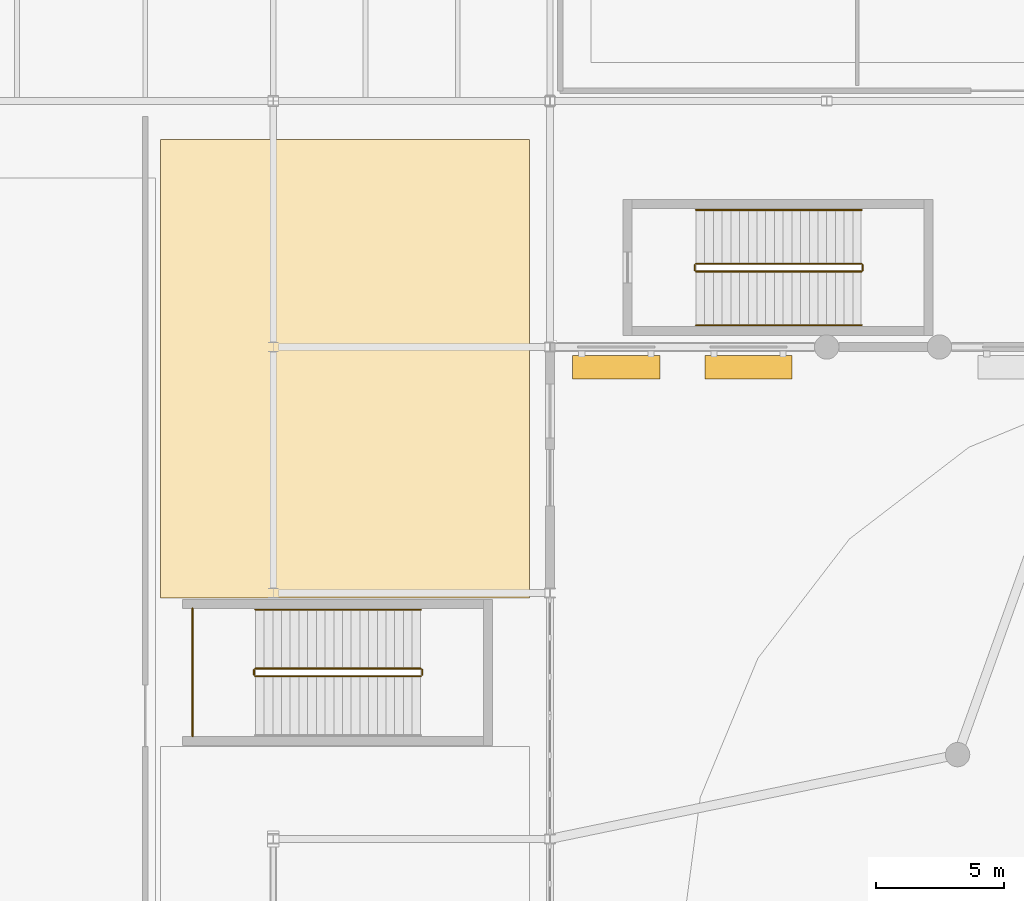
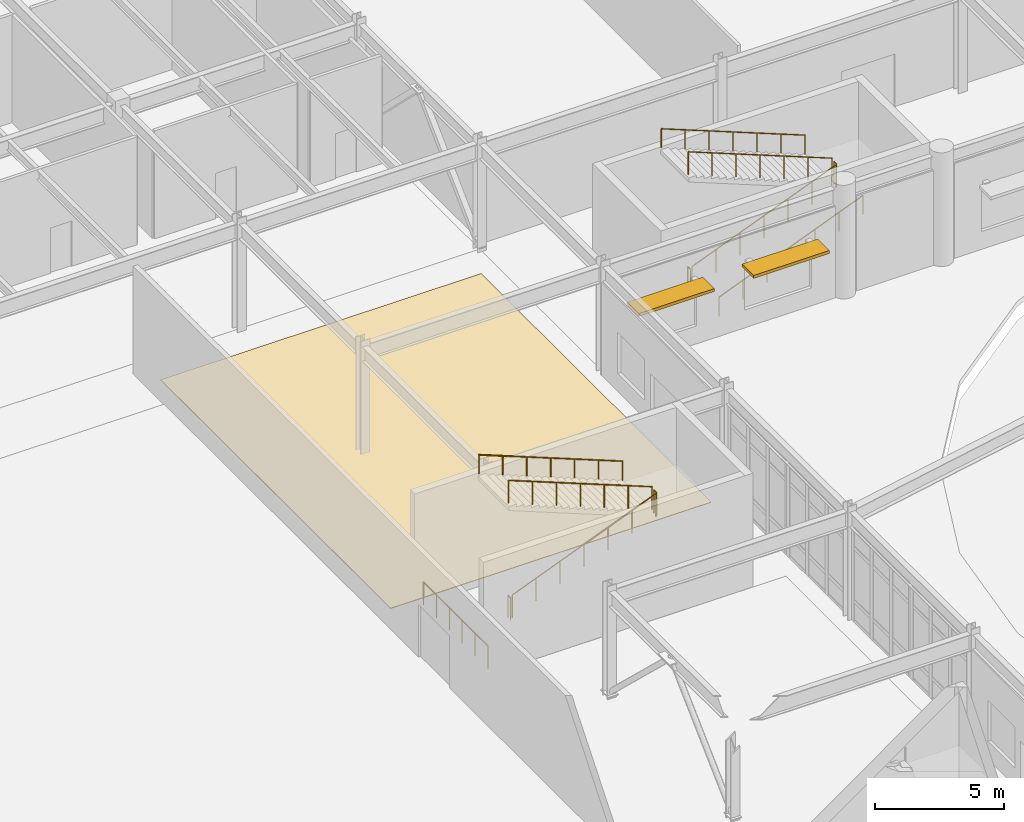
# One storey, part 49 of 54: 12 railings, 2 shading devices, 1 covering.
"""IFC4 building model written with IfcOpenShell, lengths in metres."""

from ifc_helpers import new_model, si_unit, direction, frame, origin, origin_2d, place, context, subcontext, project, spatial, polyline, rectangle, circle, outline, extrude, material, layer, layer_set, type_object, element, save


model = new_model("IFC4")

# Units and contexts
model_context = context("Model", 3, precision=1e-05, world=origin(), true_north=direction((0.0, 1.0)))
body_context = subcontext(model_context, "Body", "Model", "MODEL_VIEW")
ifc_project = project(units=[si_unit("LENGTHUNIT", "METRE"), si_unit("AREAUNIT", "SQUARE_METRE"), si_unit("VOLUMEUNIT", "CUBIC_METRE"), si_unit("PLANEANGLEUNIT", "RADIAN"), si_unit("MASSUNIT", "GRAM", prefix="KILO")], contexts=[model_context])

# Site, building, storey
site_placement = place(None, origin())
site = spatial("IfcSite", under=ifc_project, at=site_placement, CompositionType="ELEMENT")
building_placement = place(site_placement, origin())
building = spatial("IfcBuilding", under=site, at=building_placement, Name="Veldera Park Congress Hotel", CompositionType="ELEMENT")
storey_placement = place(building_placement, origin())
storey = spatial("IfcBuildingStorey", under=building, at=storey_placement, Name="L00", CompositionType="ELEMENT", Elevation=0.0)

# Covering
ifc_material_1 = material(Name="Polished Sonoran Aggregate Terrazzo", Category="concrete")
ifc_layer = layer(ifc_material_1, 0.030029296875)
ifc_layer_set = layer_set([ifc_layer], Name="Polished Sonoran Aggregate Terrazzo")
covering_type = type_object("IfcCoveringType", Name="COV-FLR-TRZ", PredefinedType="FLOORING", material=ifc_layer_set)
covering_placement = place(storey_placement, origin())
element("IfcCovering", 1, at=covering_placement, inside=storey, type_object=covering_type, Name="Congress North Concourse Terrazzo Flooring", PredefinedType="FLOORING", context=body_context, shape_type="SweptSolid", body=[
    extrude(outline(polyline([(-16.800048828125, 7.60009765625), (-2.39990234375, 7.60009765625), (-2.39990234375, 25.5), (-16.800048828125, 25.5), (-16.800048828125, 7.60009765625)])), origin(), (0.0, 0.0, 1.0), 0.030029296875),
])

# Railings
ifc_material_2 = material(Name="Steel ASTM A992 Gr.50", Category="steel")
railing_type_1 = type_object("IfcRailingType", Name="GRD-ST110", PredefinedType="GUARDRAIL", material=ifc_material_2)
railing_1_placement = place(storey_placement, frame((4.10009765625, 20.35009765625, 0.135009765625)))
element("IfcRailing", 2, at=railing_1_placement, inside=storey, type_object=railing_type_1, Name="L00 ST6 stair guard 1", PredefinedType="GUARDRAIL", context=body_context, shape_type="SweptSolid", body=[
    extrude(circle(Radius=0.02392578125, at=origin_2d()), frame((0.0, 0.0, 1.076171875), z_axis=(0.929418439274, 0.0, 0.369027593462), x_axis=(0.0, 1.0, 0.0)), (0.0, 0.0, 1.0), 6.950439453125),
    extrude(circle(Radius=0.02099609375, at=origin_2d()), origin(), (0.0, 0.0, 1.0), 1.052001953125),
    extrude(circle(Radius=0.02099609375, at=origin_2d()), frame((1.07666015625, 0.0, 0.427490234375)), (0.0, 0.0, 1.0), 1.052001953125),
    extrude(circle(Radius=0.02099609375, at=origin_2d()), frame((2.1533203125, 0.0, 0.85498046875)), (0.0, 0.0, 1.0), 1.052001953125),
    extrude(circle(Radius=0.02099609375, at=origin_2d()), frame((3.22998046875, 0.0, 1.282470703125)), (0.0, 0.0, 1.0), 1.052001953125),
    extrude(circle(Radius=0.02099609375, at=origin_2d()), frame((4.306640625, 0.0, 1.7099609375)), (0.0, 0.0, 1.0), 1.052001953125),
    extrude(circle(Radius=0.02099609375, at=origin_2d()), frame((5.38330078125, 0.0, 2.137451171875)), (0.0, 0.0, 1.0), 1.052001953125),
    extrude(circle(Radius=0.02099609375, at=origin_2d()), frame((6.4599609375, 0.0, 2.56494140625)), (0.0, 0.0, 1.0), 1.052001953125),
])
railing_2_placement = place(storey_placement, frame((10.610107421875, 20.39990234375, 2.699951171875)))
element("IfcRailing", 3, at=railing_2_placement, inside=storey, type_object=railing_type_1, Name="L00 ST6 stair guard 2", PredefinedType="GUARDRAIL", context=body_context, shape_type="SweptSolid", body=[
    extrude(circle(Radius=0.02392578125, at=origin_2d()), frame((0.0, 0.0, 1.076171875), z_axis=(0.0, 1.0, 0.0), x_axis=(-1.0, 0.0, 0.0)), (0.0, 0.0, 1.0), 0.2001953125),
    extrude(circle(Radius=0.02099609375, at=origin_2d()), origin(), (0.0, 0.0, 1.0), 1.052001953125),
    extrude(circle(Radius=0.02099609375, at=origin_2d()), frame((0.0, 0.2001953125, 0.0)), (0.0, 0.0, 1.0), 1.052001953125),
])
railing_3_placement = place(storey_placement, frame((10.56005859375, 20.64990234375, 2.8349609375)))
element("IfcRailing", 4, at=railing_3_placement, inside=storey, type_object=railing_type_1, Name="L00 ST6 stair guard 3", PredefinedType="GUARDRAIL", context=body_context, shape_type="SweptSolid", body=[
    extrude(circle(Radius=0.02392578125, at=origin_2d()), frame((0.0, 0.0, 1.076171875), z_axis=(-0.929418439274, 0.0, 0.369027593462), x_axis=(0.0, -1.0, 0.0)), (0.0, 0.0, 1.0), 6.950439453125),
    extrude(circle(Radius=0.02099609375, at=origin_2d()), origin(), (0.0, 0.0, 1.0), 1.052001953125),
    extrude(circle(Radius=0.02099609375, at=origin_2d()), frame((-1.07666015625, 0.0, 0.427490234375)), (0.0, 0.0, 1.0), 1.052001953125),
    extrude(circle(Radius=0.02099609375, at=origin_2d()), frame((-2.1533203125, 0.0, 0.85498046875)), (0.0, 0.0, 1.0), 1.052001953125),
    extrude(circle(Radius=0.02099609375, at=origin_2d()), frame((-3.22998046875, 0.0, 1.282470703125)), (0.0, 0.0, 1.0), 1.052001953125),
    extrude(circle(Radius=0.02099609375, at=origin_2d()), frame((-4.306640625, 0.0, 1.7099609375)), (0.0, 0.0, 1.0), 1.052001953125),
    extrude(circle(Radius=0.02099609375, at=origin_2d()), frame((-5.38330078125, 0.0, 2.137451171875)), (0.0, 0.0, 1.0), 1.052001953125),
    extrude(circle(Radius=0.02099609375, at=origin_2d()), frame((-6.4599609375, 0.0, 2.56494140625)), (0.0, 0.0, 1.0), 1.052001953125),
])
railing_4_placement = place(storey_placement, frame((4.050048828125, 20.39990234375, 0.0)))
element("IfcRailing", 5, at=railing_4_placement, inside=storey, type_object=railing_type_1, Name="L00 ST6 stair guard 4", PredefinedType="GUARDRAIL", context=body_context, shape_type="SweptSolid", body=[
    extrude(circle(Radius=0.02392578125, at=origin_2d()), frame((0.0, 0.0, 1.076171875), z_axis=(0.0, 1.0, 0.0), x_axis=(-1.0, 0.0, 0.0)), (0.0, 0.0, 1.0), 0.2001953125),
    extrude(circle(Radius=0.02099609375, at=origin_2d()), origin(), (0.0, 0.0, 1.0), 1.052001953125),
    extrude(circle(Radius=0.02099609375, at=origin_2d()), frame((0.0, 0.2001953125, 0.0)), (0.0, 0.0, 1.0), 1.052001953125),
])
railing_5_placement = place(storey_placement, frame((-13.10009765625, 4.550048828125, 0.135009765625)))
element("IfcRailing", 6, at=railing_5_placement, inside=storey, type_object=railing_type_1, Name="L00 ST9 stair guard 1", PredefinedType="GUARDRAIL", context=body_context, shape_type="SweptSolid", body=[
    extrude(circle(Radius=0.02392578125, at=origin_2d()), frame((0.0, 0.0, 1.076171875), z_axis=(0.929423222467, 0.0, 0.369015546474), x_axis=(0.0, 1.0, 0.0)), (0.0, 0.0, 1.0), 6.95068359375),
    extrude(circle(Radius=0.02099609375, at=origin_2d()), origin(), (0.0, 0.0, 1.0), 1.052001953125),
    extrude(circle(Radius=0.02099609375, at=origin_2d()), frame((1.07666015625, 0.0, 0.427490234375)), (0.0, 0.0, 1.0), 1.052001953125),
    extrude(circle(Radius=0.02099609375, at=origin_2d()), frame((2.1533203125, 0.0, 0.85498046875)), (0.0, 0.0, 1.0), 1.052001953125),
    extrude(circle(Radius=0.02099609375, at=origin_2d()), frame((3.22998046875, 0.0, 1.282470703125)), (0.0, 0.0, 1.0), 1.052001953125),
    extrude(circle(Radius=0.02099609375, at=origin_2d()), frame((4.306884765625, 0.0, 1.7099609375)), (0.0, 0.0, 1.0), 1.052001953125),
    extrude(circle(Radius=0.02099609375, at=origin_2d()), frame((5.383544921875, 0.0, 2.137451171875)), (0.0, 0.0, 1.0), 1.052001953125),
    extrude(circle(Radius=0.02099609375, at=origin_2d()), frame((6.460205078125, 0.0, 2.56494140625)), (0.0, 0.0, 1.0), 1.052001953125),
])
railing_6_placement = place(storey_placement, frame((-6.590087890625, 4.60009765625, 2.699951171875)))
element("IfcRailing", 7, at=railing_6_placement, inside=storey, type_object=railing_type_1, Name="L00 ST9 stair guard 2", PredefinedType="GUARDRAIL", context=body_context, shape_type="SweptSolid", body=[
    extrude(circle(Radius=0.02392578125, at=origin_2d()), frame((0.0, 0.0, 1.076171875), z_axis=(0.0, 1.0, 0.0), x_axis=(-1.0, 0.0, 0.0)), (0.0, 0.0, 1.0), 0.199951171875),
    extrude(circle(Radius=0.02099609375, at=origin_2d()), origin(), (0.0, 0.0, 1.0), 1.052001953125),
    extrude(circle(Radius=0.02099609375, at=origin_2d()), frame((0.0, 0.199951171875, 0.0)), (0.0, 0.0, 1.0), 1.052001953125),
])
railing_7_placement = place(storey_placement, frame((-6.639892578125, 4.85009765625, 2.8349609375)))
element("IfcRailing", 8, at=railing_7_placement, inside=storey, type_object=railing_type_1, Name="L00 ST9 stair guard 3", PredefinedType="GUARDRAIL", context=body_context, shape_type="SweptSolid", body=[
    extrude(circle(Radius=0.02392578125, at=origin_2d()), frame((0.0, 0.0, 1.076171875), z_axis=(-0.929423222467, 0.0, 0.369015546474), x_axis=(0.0, -1.0, 0.0)), (0.0, 0.0, 1.0), 6.95068359375),
    extrude(circle(Radius=0.02099609375, at=origin_2d()), origin(), (0.0, 0.0, 1.0), 1.052001953125),
    extrude(circle(Radius=0.02099609375, at=origin_2d()), frame((-1.07666015625, 0.0, 0.427490234375)), (0.0, 0.0, 1.0), 1.052001953125),
    extrude(circle(Radius=0.02099609375, at=origin_2d()), frame((-2.1533203125, 0.0, 0.85498046875)), (0.0, 0.0, 1.0), 1.052001953125),
    extrude(circle(Radius=0.02099609375, at=origin_2d()), frame((-3.22998046875, 0.0, 1.282470703125)), (0.0, 0.0, 1.0), 1.052001953125),
    extrude(circle(Radius=0.02099609375, at=origin_2d()), frame((-4.306884765625, 0.0, 1.7099609375)), (0.0, 0.0, 1.0), 1.052001953125),
    extrude(circle(Radius=0.02099609375, at=origin_2d()), frame((-5.383544921875, 0.0, 2.137451171875)), (0.0, 0.0, 1.0), 1.052001953125),
    extrude(circle(Radius=0.02099609375, at=origin_2d()), frame((-6.460205078125, 0.0, 2.56494140625)), (0.0, 0.0, 1.0), 1.052001953125),
])
railing_8_placement = place(storey_placement, frame((-13.14990234375, 4.60009765625, 0.0)))
element("IfcRailing", 9, at=railing_8_placement, inside=storey, type_object=railing_type_1, Name="L00 ST9 stair guard 4", PredefinedType="GUARDRAIL", context=body_context, shape_type="SweptSolid", body=[
    extrude(circle(Radius=0.02392578125, at=origin_2d()), frame((0.0, 0.0, 1.076171875), z_axis=(0.0, 1.0, 0.0), x_axis=(-1.0, 0.0, 0.0)), (0.0, 0.0, 1.0), 0.199951171875),
    extrude(circle(Radius=0.02099609375, at=origin_2d()), origin(), (0.0, 0.0, 1.0), 1.052001953125),
    extrude(circle(Radius=0.02099609375, at=origin_2d()), frame((0.0, 0.199951171875, 0.0)), (0.0, 0.0, 1.0), 1.052001953125),
])
railing_9_placement = place(storey_placement, frame((-15.550048828125, 2.199951171875, 0.0)))
element("IfcRailing", 10, at=railing_9_placement, inside=storey, type_object=railing_type_1, Name="L00 ST9 stair guard 5", PredefinedType="GUARDRAIL", context=body_context, shape_type="SweptSolid", body=[
    extrude(circle(Radius=0.02392578125, at=origin_2d()), frame((0.0, 0.0, 1.076171875), z_axis=(0.0, 1.0, 0.0), x_axis=(-1.0, 0.0, 0.0)), (0.0, 0.0, 1.0), 5.0),
    extrude(circle(Radius=0.02099609375, at=origin_2d()), origin(), (0.0, 0.0, 1.0), 1.052001953125),
    extrude(circle(Radius=0.02099609375, at=origin_2d()), frame((0.0, 1.0, 0.0)), (0.0, 0.0, 1.0), 1.052001953125),
    extrude(circle(Radius=0.02099609375, at=origin_2d()), frame((0.0, 2.0, 0.0)), (0.0, 0.0, 1.0), 1.052001953125),
    extrude(circle(Radius=0.02099609375, at=origin_2d()), frame((0.0, 3.0, 0.0)), (0.0, 0.0, 1.0), 1.052001953125),
    extrude(circle(Radius=0.02099609375, at=origin_2d()), frame((0.0, 4.0, 0.0)), (0.0, 0.0, 1.0), 1.052001953125),
    extrude(circle(Radius=0.02099609375, at=origin_2d()), frame((0.0, 5.0, 0.0)), (0.0, 0.0, 1.0), 1.052001953125),
])
railing_type_2 = type_object("IfcRailingType", Name="HRL-920", PredefinedType="HANDRAIL", material=ifc_material_2)
railing_10_placement = place(storey_placement, frame((4.10009765625, 18.25, 0.135009765625)))
element("IfcRailing", 11, at=railing_10_placement, inside=storey, type_object=railing_type_2, Name="L00 ST6 stair handrail 1", PredefinedType="HANDRAIL", context=body_context, shape_type="SweptSolid", body=[
    extrude(circle(Radius=0.02392578125, at=origin_2d()), frame((0.0, 0.0, 0.89599609375), z_axis=(0.929418439274, 0.0, 0.369027593462), x_axis=(0.0, 1.0, 0.0)), (0.0, 0.0, 1.0), 6.950439453125),
    extrude(circle(Radius=0.02099609375, at=origin_2d()), origin(), (0.0, 0.0, 1.0), 0.871826171875),
    extrude(circle(Radius=0.02099609375, at=origin_2d()), frame((1.07666015625, 0.0, 0.427490234375)), (0.0, 0.0, 1.0), 0.871826171875),
    extrude(circle(Radius=0.02099609375, at=origin_2d()), frame((2.1533203125, 0.0, 0.85498046875)), (0.0, 0.0, 1.0), 0.871826171875),
    extrude(circle(Radius=0.02099609375, at=origin_2d()), frame((3.22998046875, 0.0, 1.282470703125)), (0.0, 0.0, 1.0), 0.871826171875),
    extrude(circle(Radius=0.02099609375, at=origin_2d()), frame((4.306640625, 0.0, 1.7099609375)), (0.0, 0.0, 1.0), 0.871826171875),
    extrude(circle(Radius=0.02099609375, at=origin_2d()), frame((5.38330078125, 0.0, 2.137451171875)), (0.0, 0.0, 1.0), 0.871826171875),
    extrude(circle(Radius=0.02099609375, at=origin_2d()), frame((6.4599609375, 0.0, 2.56494140625)), (0.0, 0.0, 1.0), 0.871826171875),
])
railing_11_placement = place(storey_placement, frame((10.56005859375, 22.75, 2.8349609375)))
element("IfcRailing", 12, at=railing_11_placement, inside=storey, type_object=railing_type_2, Name="L00 ST6 stair handrail 2", PredefinedType="HANDRAIL", context=body_context, shape_type="SweptSolid", body=[
    extrude(circle(Radius=0.02392578125, at=origin_2d()), frame((0.0, 0.0, 0.89599609375), z_axis=(-0.929418439274, 0.0, 0.369027593462), x_axis=(0.0, -1.0, 0.0)), (0.0, 0.0, 1.0), 6.950439453125),
    extrude(circle(Radius=0.02099609375, at=origin_2d()), origin(), (0.0, 0.0, 1.0), 0.871826171875),
    extrude(circle(Radius=0.02099609375, at=origin_2d()), frame((-1.07666015625, 0.0, 0.427490234375)), (0.0, 0.0, 1.0), 0.871826171875),
    extrude(circle(Radius=0.02099609375, at=origin_2d()), frame((-2.1533203125, 0.0, 0.85498046875)), (0.0, 0.0, 1.0), 0.871826171875),
    extrude(circle(Radius=0.02099609375, at=origin_2d()), frame((-3.22998046875, 0.0, 1.282470703125)), (0.0, 0.0, 1.0), 0.871826171875),
    extrude(circle(Radius=0.02099609375, at=origin_2d()), frame((-4.306640625, 0.0, 1.7099609375)), (0.0, 0.0, 1.0), 0.871826171875),
    extrude(circle(Radius=0.02099609375, at=origin_2d()), frame((-5.38330078125, 0.0, 2.137451171875)), (0.0, 0.0, 1.0), 0.871826171875),
    extrude(circle(Radius=0.02099609375, at=origin_2d()), frame((-6.4599609375, 0.0, 2.56494140625)), (0.0, 0.0, 1.0), 0.871826171875),
])
railing_12_placement = place(storey_placement, frame((-6.639892578125, 7.14990234375, 2.8349609375)))
element("IfcRailing", 13, at=railing_12_placement, inside=storey, type_object=railing_type_2, Name="L00 ST9 stair handrail 2", PredefinedType="HANDRAIL", context=body_context, shape_type="SweptSolid", body=[
    extrude(circle(Radius=0.02392578125, at=origin_2d()), frame((0.0, 0.0, 0.89599609375), z_axis=(-0.929423222467, 0.0, 0.369015546474), x_axis=(0.0, -1.0, 0.0)), (0.0, 0.0, 1.0), 6.95068359375),
    extrude(circle(Radius=0.02099609375, at=origin_2d()), origin(), (0.0, 0.0, 1.0), 0.871826171875),
    extrude(circle(Radius=0.02099609375, at=origin_2d()), frame((-1.07666015625, 0.0, 0.427490234375)), (0.0, 0.0, 1.0), 0.871826171875),
    extrude(circle(Radius=0.02099609375, at=origin_2d()), frame((-2.1533203125, 0.0, 0.85498046875)), (0.0, 0.0, 1.0), 0.871826171875),
    extrude(circle(Radius=0.02099609375, at=origin_2d()), frame((-3.22998046875, 0.0, 1.282470703125)), (0.0, 0.0, 1.0), 0.871826171875),
    extrude(circle(Radius=0.02099609375, at=origin_2d()), frame((-4.306884765625, 0.0, 1.7099609375)), (0.0, 0.0, 1.0), 0.871826171875),
    extrude(circle(Radius=0.02099609375, at=origin_2d()), frame((-5.383544921875, 0.0, 2.137451171875)), (0.0, 0.0, 1.0), 0.871826171875),
    extrude(circle(Radius=0.02099609375, at=origin_2d()), frame((-6.460205078125, 0.0, 2.56494140625)), (0.0, 0.0, 1.0), 0.871826171875),
])

# Shading devices
ifc_material_3 = material(Name="Glulam GL28h (NDS 24F-V4)", Category="wood")
shading_device_type = type_object("IfcShadingDeviceType", Name="SHD-SHF450", PredefinedType="AWNING", material=ifc_material_3)
for number, where, z_axis, x_axis, name in (
    (14, (0.9873046875, 16.610107421875, 3.06005859375), (0.0, 0.0, 1.0), (1.0, 0.0, 0.0), "Glulam Solar Shade 16"),
    (15, (6.147216796875, 16.610107421875, 3.06005859375), (0.0, 0.0, 1.0), (1.0, 0.0, 0.0), "Glulam Solar Shade 17"),
):
    element("IfcShadingDevice", number, at=place(storey_placement, frame(where, z_axis=z_axis, x_axis=x_axis)), inside=storey, type_object=shading_device_type, Name=name, PredefinedType="AWNING", context=body_context, shape_type="SweptSolid", body=[
        extrude(rectangle(XDim=3.39990234375, YDim=0.89990234375, at=origin_2d()), origin(), (0.0, 0.0, 1.0), 0.139892578125),
    ])

save(model, "model.ifc")
